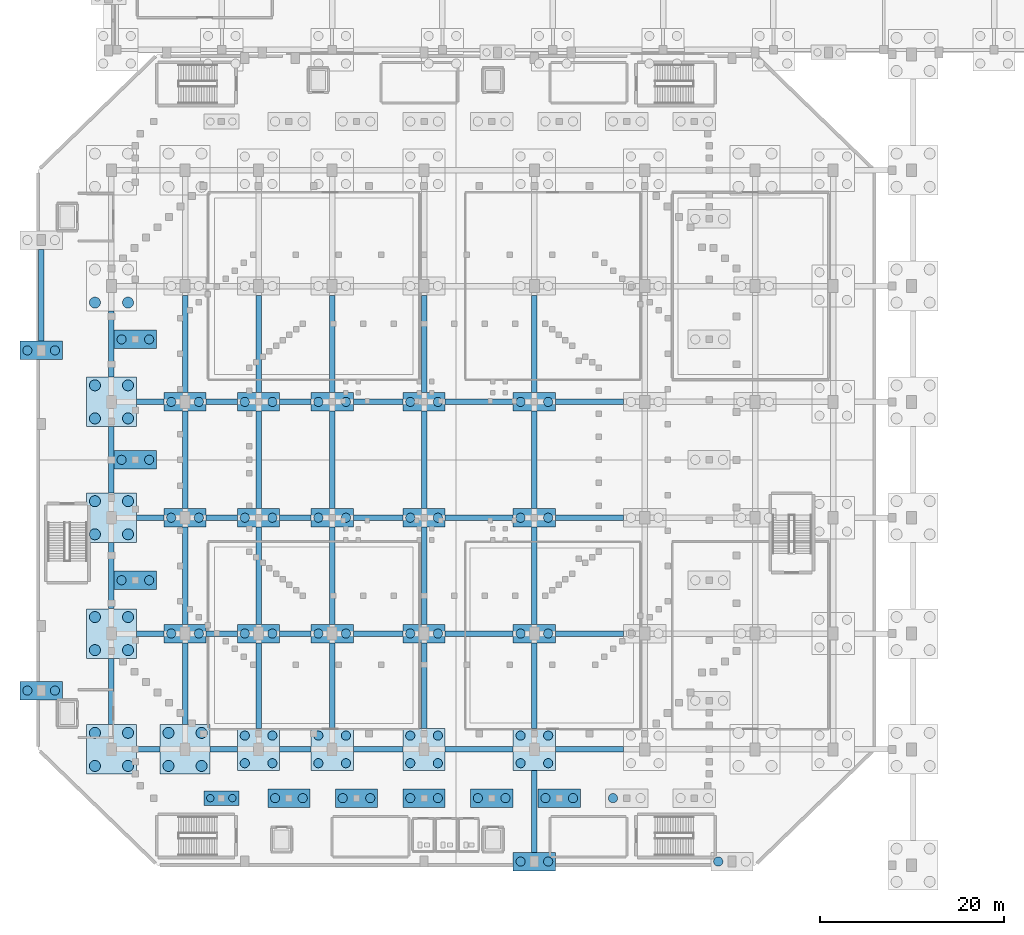
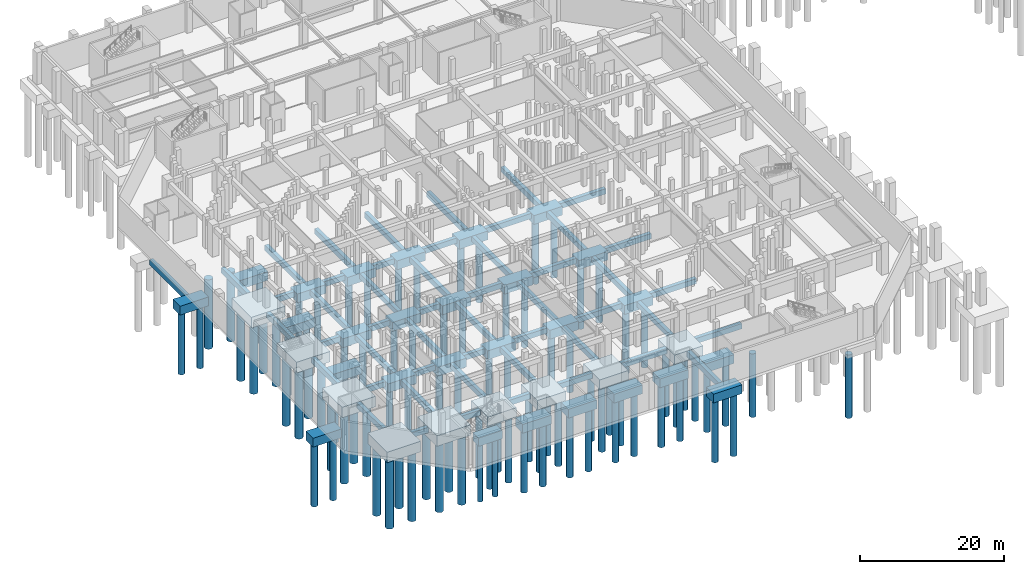
# One storey, part 1 of 27: 94 piles, 86 footings.
"""IFC4 building model written with IfcOpenShell, lengths in metres."""

import ifcopenshell
import ifcopenshell.guid

model = None  # the IFC model being written
_history = None  # IfcOwnerHistory: only IFC2X3 demands one
_inside = {}  # id of a spatial element -> (the spatial element, [elements in it])
_under = {}  # id of a project, library or spatial element -> (it, [spatial elements below it])
_declared = {}  # id of a project -> (the project, [libraries it declares])
_typed = {}  # id of a type object -> (the type object, [elements of that type])
_made_of = {}  # id of a material, layer set ... -> (it, [elements and type objects made of it])


def new_model(schema):
    """Start an empty IFC model of exactly this schema.

    Asked for "IFC4X3", IfcOpenShell would pick the latest addendum, in which some entities
    have other attributes; the version numbers below select the first issue.
    IFC2X3 requires an IfcOwnerHistory on every rooted entity: one is made here for all.
    """
    global model, _history
    if schema == "IFC4X3":
        model = ifcopenshell.file(schema_version=(4, 3, 0, 0))
    else:
        model = ifcopenshell.file(schema=schema)
    _inside.clear()
    _under.clear()
    _declared.clear()
    _typed.clear()
    _made_of.clear()
    _history = None
    if model.schema == "IFC2X3":
        org = make("IfcOrganization", Name="unknown")
        user = make(
            "IfcPersonAndOrganization",
            ThePerson=make("IfcPerson", FamilyName="unknown"),
            TheOrganization=org,
        )
        app = make(
            "IfcApplication",
            ApplicationDeveloper=org,
            Version="unknown",
            ApplicationFullName="unknown",
            ApplicationIdentifier="unknown",
        )
        _history = make(
            "IfcOwnerHistory",
            OwningUser=user,
            OwningApplication=app,
            ChangeAction="ADDED",
            CreationDate=0,
        )
    return model


def make(cls, **values):
    """One entity of the class cls with the attributes given. An attribute that is None is left unset."""
    return model.create_entity(
        cls, **{name: value for name, value in values.items() if value is not None}
    )


def rooted(cls, **values):
    """An entity with a GlobalId (a new one), such as an element, a storey or a relation."""
    return make(cls, GlobalId=ifcopenshell.guid.new(), OwnerHistory=_history, **values)


def si_unit(unit_type, name, prefix=None):
    """IfcSIUnit, for example si_unit("LENGTHUNIT", "METRE", prefix="MILLI")."""
    return make("IfcSIUnit", UnitType=unit_type, Prefix=prefix, Name=name)


def derived_unit(unit_type, elements):
    """IfcDerivedUnit: a product of units, each with its exponent."""
    return make(
        "IfcDerivedUnit",
        Elements=[
            make("IfcDerivedUnitElement", Unit=unit, Exponent=power)
            for unit, power in elements
        ],
        UnitType=unit_type,
    )


def assignment(units):
    """IfcUnitAssignment: the units of a project."""
    return None if units is None else make("IfcUnitAssignment", Units=units)


def point(xyz):
    """IfcCartesianPoint."""
    return None if xyz is None else make("IfcCartesianPoint", Coordinates=xyz)


def direction(xyz):
    """IfcDirection."""
    return None if xyz is None else make("IfcDirection", DirectionRatios=xyz)


def frame(location, z_axis=None, x_axis=None):
    """IfcAxis2Placement3D, a coordinate frame: its origin and axes. An axis left out is left unset."""
    return make(
        "IfcAxis2Placement3D",
        Location=point(location),
        Axis=direction(z_axis),
        RefDirection=direction(x_axis),
    )


def frame_2d(location, x_axis=None):
    """IfcAxis2Placement2D, a coordinate frame in the plane: its origin and x axis."""
    return make(
        "IfcAxis2Placement2D", Location=point(location), RefDirection=direction(x_axis)
    )


def origin():
    """The frame at (0, 0, 0) with its axes left unset."""
    return frame((0.0, 0.0, 0.0))


def origin_2d():
    """The frame at (0, 0) in the plane with its x axis left unset."""
    return frame_2d((0.0, 0.0))


def place(relative_to, where):
    """IfcLocalPlacement: puts the frame where relative to a parent placement (None: the world)."""
    return make(
        "IfcLocalPlacement", PlacementRelTo=relative_to, RelativePlacement=where
    )


def context(
    kind, dimensions, precision=None, world=None, true_north=None, identifier=None
):
    """IfcGeometricRepresentationContext, for example the 3D "Model" context."""
    return make(
        "IfcGeometricRepresentationContext",
        ContextIdentifier=identifier,
        ContextType=kind,
        CoordinateSpaceDimension=dimensions,
        Precision=precision,
        WorldCoordinateSystem=world,
        TrueNorth=true_north,
    )


def subcontext(parent, identifier, kind, view, scale=None):
    """IfcGeometricRepresentationSubContext, for example "Body" below "Model"."""
    return make(
        "IfcGeometricRepresentationSubContext",
        ContextIdentifier=identifier,
        ContextType=kind,
        ParentContext=parent,
        TargetScale=scale,
        TargetView=view,
    )


def project(units=None, contexts=None):
    """IfcProject with its units and contexts."""
    return rooted(
        "IfcProject",
        Name="project",
        RepresentationContexts=contexts,
        UnitsInContext=assignment(units),
    )


def spatial(cls, under=None, at=None, **own):
    """A site, building, storey or space (cls), placed at a placement, below another one or the project."""
    s = rooted(cls, ObjectPlacement=at, **own)
    if under is not None:
        _under.setdefault(under.id(), (under, []))[1].append(s)
    return s


def profile(cls, at=None, kind="AREA", **sizes):
    """A parametric profile (cls). Its sizes go by their IFC names, for example OverallWidth=200.0."""
    return make(cls, ProfileType=kind, Position=at, **sizes)


def rectangle(**sizes):
    """IfcRectangleProfileDef."""
    return profile("IfcRectangleProfileDef", **sizes)


def circle(**sizes):
    """IfcCircleProfileDef."""
    return profile("IfcCircleProfileDef", **sizes)


def extrude(swept, where, along, depth):
    """IfcExtrudedAreaSolid: the profile swept, set in the frame where, extruded along a direction by depth."""
    return make(
        "IfcExtrudedAreaSolid",
        SweptArea=swept,
        Position=where,
        ExtrudedDirection=direction(along),
        Depth=depth,
    )


def shape(context_of_items, identifier, shape_type, items):
    """IfcShapeRepresentation: the items that make up one representation, for example the "Body"."""
    return make(
        "IfcShapeRepresentation",
        ContextOfItems=context_of_items,
        RepresentationIdentifier=identifier,
        RepresentationType=shape_type,
        Items=items,
    )


def material(Name=None, Category=None):
    """IfcMaterial."""
    return make("IfcMaterial", Name=Name, Category=Category)


def layer(
    of_material, thickness, ventilated=None, Name=None, Category=None, Priority=None
):
    """IfcMaterialLayer: one layer of a wall or slab, of a material (None: an air gap)."""
    return make(
        "IfcMaterialLayer",
        Material=of_material,
        LayerThickness=thickness,
        IsVentilated=ventilated,
        Name=Name,
        Category=Category,
        Priority=Priority,
    )


def layer_set(layers, Name=None):
    """IfcMaterialLayerSet."""
    return make("IfcMaterialLayerSet", MaterialLayers=layers, LayerSetName=Name)


def material_profile(
    of_material, cross_section, Name=None, Category=None, Priority=None
):
    """IfcMaterialProfile: a cross section and its material."""
    return make(
        "IfcMaterialProfile",
        Name=Name,
        Material=of_material,
        Profile=cross_section,
        Priority=Priority,
        Category=Category,
    )


def profile_set(profiles, Name=None, composite=None):
    """IfcMaterialProfileSet."""
    return make(
        "IfcMaterialProfileSet",
        Name=Name,
        MaterialProfiles=profiles,
        CompositeProfile=composite,
    )


def made_of(thing, what):
    """Note that an element or type object is made of a material, layer set ...; save() writes the relation."""
    if what is not None:
        _made_of.setdefault(what.id(), (what, []))[1].append(thing)
    return thing


def type_object(cls, material=None, **own):
    """A type object (cls), such as IfcWallType, which elements share."""
    return made_of(rooted(cls, **own), material)


def element(
    cls,
    number,
    at=None,
    inside=None,
    cuts=None,
    type_object=None,
    material=None,
    context=None,
    identifier="Body",
    shape_type=None,
    held_by="IfcProductDefinitionShape",
    body=None,
    shapes=None,
    **own,
):
    """One element of the class cls, such as IfcWall. Its Tag is "e" and its number.

    at: its placement. inside: the storey or other place that contains it. cuts: it is an
    opening in that element (IfcRelVoidsElement). A single representation is given by context,
    identifier, shape_type and body (its items); several are given by shapes. held_by: the class
    of the entity that holds the representations. save() writes the other relations.
    """
    e = rooted(cls, Tag="e%d" % number, ObjectPlacement=at, **own)
    if body is not None:
        shapes = [shape(context, identifier, shape_type, body)]
    if shapes is not None:
        e.Representation = make(held_by, Representations=shapes)
    if inside is not None:
        _inside.setdefault(inside.id(), (inside, []))[1].append(e)
    if cuts is not None:
        rooted(
            "IfcRelVoidsElement", RelatingBuildingElement=cuts, RelatedOpeningElement=e
        )
    if type_object is not None:
        _typed.setdefault(type_object.id(), (type_object, []))[1].append(e)
    return made_of(e, material)


def aggregate(whole, parts):
    """IfcRelAggregates: a whole, such as a stair, and the parts it consists of."""
    return rooted("IfcRelAggregates", RelatingObject=whole, RelatedObjects=parts)


def save(model, path):
    """Write the relations noted so far, then the file.

    IfcRelAggregates (storeys below a building ...), IfcRelContainedInSpatialStructure (elements
    in a storey), IfcRelDefinesByType, IfcRelAssociatesMaterial and IfcRelDeclares: one each for
    every whole, place, type object, material and project.
    """
    for whole, parts in _under.values():
        aggregate(whole, parts)
    for where, things in _inside.values():
        rooted(
            "IfcRelContainedInSpatialStructure",
            RelatedElements=things,
            RelatingStructure=where,
        )
    for kind, things in _typed.values():
        rooted("IfcRelDefinesByType", RelatedObjects=things, RelatingType=kind)
    for what, things in _made_of.values():
        rooted("IfcRelAssociatesMaterial", RelatedObjects=things, RelatingMaterial=what)
    for by, libraries in _declared.values():
        rooted("IfcRelDeclares", RelatingContext=by, RelatedDefinitions=libraries)
    model.write(path)


model = new_model("IFC4")

# Units and contexts
model_context = context("Model", 3, precision=1e-05, world=origin(), true_north=direction((0.0, 1.0)))
body_context = subcontext(model_context, "Body", "Model", "MODEL_VIEW")
ifc_project = project(units=[si_unit("LENGTHUNIT", "METRE"), si_unit("AREAUNIT", "SQUARE_METRE"), si_unit("VOLUMEUNIT", "CUBIC_METRE"), si_unit("PLANEANGLEUNIT", "RADIAN"), si_unit("MASSUNIT", "GRAM", prefix="KILO"), derived_unit("THERMALTRANSMITTANCEUNIT", [(si_unit("MASSUNIT", "GRAM", prefix="KILO"), 1), (si_unit("TIMEUNIT", "SECOND"), -3), (si_unit("THERMODYNAMICTEMPERATUREUNIT", "KELVIN"), -1)])], contexts=[model_context])

# Site, building, storey
site_placement = place(None, origin())
site = spatial("IfcSite", under=ifc_project, at=site_placement, CompositionType="ELEMENT")
building_placement = place(site_placement, origin())
building = spatial("IfcBuilding", under=site, at=building_placement, Name="Valcora Ridge Arena", CompositionType="ELEMENT")
storey_placement = place(building_placement, frame((0.0, 0.0, -5.39990234375)))
storey = spatial("IfcBuildingStorey", under=building, at=storey_placement, Name="B1", CompositionType="ELEMENT", Elevation=-5.39990234375)

# Footings
ifc_material_1 = material(Name="Concrete C40/50", Category="concrete")
ifc_layer_1 = layer(ifc_material_1, 1.5, Name="Concrete C40/50")
ifc_layer_set_1 = layer_set([ifc_layer_1], Name="Concrete C40/50")
footing_type_1 = type_object("IfcFootingType", Name="TY-FOOTING-PC-2P1000", PredefinedType="PILE_CAP", material=ifc_layer_set_1)
for number, where, z_axis, x_axis, name in (
    (1, (32.0, 45.199951171875, -2.10009765625), (0.0, 0.0, 1.0), (1.0, 0.0, 0.0), "PC-2P1000 FND-PC-0016"),
    (2, (32.0, 57.800048828125, -2.10009765625), (0.0, 0.0, 1.0), (1.0, 0.0, 0.0), "PC-2P1000 FND-PC-0017"),
    (3, (32.0, 70.39990234375, -2.10009765625), (0.0, 0.0, 1.0), (1.0, 0.0, 0.0), "PC-2P1000 FND-PC-0018"),
    (4, (40.0, 45.199951171875, -2.10009765625), (0.0, 0.0, 1.0), (1.0, 0.0, 0.0), "PC-2P1000 FND-PC-0022"),
    (5, (40.0, 57.800048828125, -2.10009765625), (0.0, 0.0, 1.0), (1.0, 0.0, 0.0), "PC-2P1000 FND-PC-0023"),
    (6, (40.0, 70.39990234375, -2.10009765625), (0.0, 0.0, 1.0), (1.0, 0.0, 0.0), "PC-2P1000 FND-PC-0024"),
    (7, (48.0, 45.199951171875, -2.10009765625), (0.0, 0.0, 1.0), (1.0, 0.0, 0.0), "PC-2P1000 FND-PC-0028"),
    (8, (48.0, 57.800048828125, -2.10009765625), (0.0, 0.0, 1.0), (1.0, 0.0, 0.0), "PC-2P1000 FND-PC-0029"),
    (9, (48.0, 70.39990234375, -2.10009765625), (0.0, 0.0, 1.0), (1.0, 0.0, 0.0), "PC-2P1000 FND-PC-0030"),
    (10, (58.0, 45.199951171875, -2.10009765625), (0.0, 0.0, 1.0), (1.0, 0.0, 0.0), "PC-2P1000 FND-PC-0034"),
    (11, (58.0, 57.800048828125, -2.10009765625), (0.0, 0.0, 1.0), (1.0, 0.0, 0.0), "PC-2P1000 FND-PC-0035"),
    (12, (58.0, 70.39990234375, -2.10009765625), (0.0, 0.0, 1.0), (1.0, 0.0, 0.0), "PC-2P1000 FND-PC-0036"),
    (13, (70.0, 45.199951171875, -2.10009765625), (0.0, 0.0, 1.0), (1.0, 0.0, 0.0), "PC-2P1000 FND-PC-0040"),
    (14, (70.0, 57.800048828125, -2.10009765625), (0.0, 0.0, 1.0), (1.0, 0.0, 0.0), "PC-2P1000 FND-PC-0041"),
    (15, (70.0, 70.39990234375, -2.10009765625), (0.0, 0.0, 1.0), (1.0, 0.0, 0.0), "PC-2P1000 FND-PC-0042"),
    (16, (70.0, 20.39990234375, -2.10009765625), (0.0, 0.0, 1.0), (1.0, 0.0, 0.0), "PC-2P1000 FND-PC-0210"),
    (17, (16.35009765625, 39.0, -2.10009765625), (0.0, 0.0, 1.0), (1.0, 0.0, 0.0), "PC-2P1000 FND-PC-0212"),
    (18, (16.35009765625, 76.0, -2.10009765625), (0.0, 0.0, 1.0), (1.0, 0.0, 0.0), "PC-2P1000 FND-PC-0213"),
    (19, (43.300048828125, 27.300048828125, -2.10009765625), (0.0, 0.0, 1.0), (1.0, 0.0, 0.0), "PC-2P1000 FND-PC-0262"),
    (20, (50.64990234375, 27.300048828125, -2.10009765625), (0.0, 0.0, 1.0), (1.0, 0.0, 0.0), "PC-2P1000 FND-PC-0263"),
    (21, (58.0, 27.300048828125, -2.10009765625), (0.0, 0.0, 1.0), (1.0, 0.0, 0.0), "PC-2P1000 FND-PC-0264"),
    (22, (65.35009765625, 27.300048828125, -2.10009765625), (0.0, 0.0, 1.0), (1.0, 0.0, 0.0), "PC-2P1000 FND-PC-0265"),
    (23, (72.699951171875, 27.300048828125, -2.10009765625), (0.0, 0.0, 1.0), (1.0, 0.0, 0.0), "PC-2P1000 FND-PC-0266"),
    (24, (26.60009765625, 77.199951171875, -2.10009765625), (0.0, 0.0, 1.0), (1.0, 0.0, 0.0), "PC-2P1000 FND-PC-0282"),
    (25, (26.60009765625, 64.10009765625, -2.10009765625), (0.0, 0.0, 1.0), (1.0, 0.0, 0.0), "PC-2P1000 FND-PC-0283"),
    (26, (26.60009765625, 51.0, -2.10009765625), (0.0, 0.0, 1.0), (1.0, 0.0, 0.0), "PC-2P1000 FND-PC-0284"),
):
    element("IfcFooting", number, at=place(storey_placement, frame(where, z_axis=z_axis, x_axis=x_axis)), inside=storey, type_object=footing_type_1, Name=name, PredefinedType="PILE_CAP", context=body_context, shape_type="SweptSolid", body=[
        extrude(rectangle(XDim=4.60009765625, YDim=2.0, at=origin_2d()), origin(), (0.0, 0.0, 1.0), 1.5),
    ])
ifc_layer_2 = layer(ifc_material_1, 1.39990234375, Name="Concrete C40/50")
ifc_layer_set_2 = layer_set([ifc_layer_2], Name="Concrete C40/50")
footing_type_2 = type_object("IfcFootingType", Name="TY-FOOTING-PC-2P800", PredefinedType="PILE_CAP", material=ifc_layer_set_2)
footing_1_placement = place(storey_placement, frame((35.949951171875, 27.300048828125, -2.0), z_axis=(0.0, 0.0, 1.0), x_axis=(1.0, 0.0, 0.0)))
element("IfcFooting", 27, at=footing_1_placement, inside=storey, type_object=footing_type_2, Name="PC-2P800 FND-PC-0261", PredefinedType="PILE_CAP", context=body_context, shape_type="SweptSolid", body=[
    extrude(rectangle(XDim=3.800048828125, YDim=1.60009765625, at=origin_2d()), origin(), (0.0, 0.0, 1.0), 1.39990234375),
])
ifc_layer_3 = layer(ifc_material_1, 1.60009765625, Name="Concrete C40/50")
ifc_layer_set_3 = layer_set([ifc_layer_3], Name="Concrete C40/50")
footing_type_3 = type_object("IfcFootingType", Name="TY-FOOTING-PC-4P1000", PredefinedType="PILE_CAP", material=ifc_layer_set_3)
for number, where, z_axis, x_axis, name in (
    (28, (40.0, 32.60009765625, -2.2001953125), (0.0, 0.0, 1.0), (1.0, 0.0, 0.0), "PC-4P1000 FND-PC-0021"),
    (29, (48.0, 32.60009765625, -2.2001953125), (0.0, 0.0, 1.0), (1.0, 0.0, 0.0), "PC-4P1000 FND-PC-0027"),
    (30, (58.0, 32.60009765625, -2.2001953125), (0.0, 0.0, 1.0), (1.0, 0.0, 0.0), "PC-4P1000 FND-PC-0033"),
    (31, (70.0, 32.60009765625, -2.2001953125), (0.0, 0.0, 1.0), (1.0, 0.0, 0.0), "PC-4P1000 FND-PC-0039"),
):
    element("IfcFooting", number, at=place(storey_placement, frame(where, z_axis=z_axis, x_axis=x_axis)), inside=storey, type_object=footing_type_3, Name=name, PredefinedType="PILE_CAP", context=body_context, shape_type="SweptSolid", body=[
        extrude(rectangle(XDim=4.60009765625, YDim=4.60009765625, at=origin_2d()), origin(), (0.0, 0.0, 1.0), 1.60009765625),
    ])
ifc_layer_4 = layer(ifc_material_1, 1.800048828125, Name="Concrete C40/50")
ifc_layer_set_4 = layer_set([ifc_layer_4], Name="Concrete C40/50")
footing_type_4 = type_object("IfcFootingType", Name="TY-FOOTING-PC-4P1200", PredefinedType="PILE_CAP", material=ifc_layer_set_4)
for number, where, z_axis, x_axis, name in (
    (32, (24.0, 32.60009765625, -2.39990234375), (0.0, 0.0, 1.0), (1.0, 0.0, 0.0), "PC-4P1200 FND-PC-0009"),
    (33, (24.0, 45.199951171875, -2.39990234375), (0.0, 0.0, 1.0), (1.0, 0.0, 0.0), "PC-4P1200 FND-PC-0010"),
    (34, (24.0, 57.800048828125, -2.39990234375), (0.0, 0.0, 1.0), (1.0, 0.0, 0.0), "PC-4P1200 FND-PC-0011"),
    (35, (24.0, 70.39990234375, -2.39990234375), (0.0, 0.0, 1.0), (1.0, 0.0, 0.0), "PC-4P1200 FND-PC-0012"),
    (36, (32.0, 32.60009765625, -2.39990234375), (0.0, 0.0, 1.0), (1.0, 0.0, 0.0), "PC-4P1200 FND-PC-0015"),
):
    element("IfcFooting", number, at=place(storey_placement, frame(where, z_axis=z_axis, x_axis=x_axis)), inside=storey, type_object=footing_type_4, Name=name, PredefinedType="PILE_CAP", context=body_context, shape_type="SweptSolid", body=[
        extrude(rectangle(XDim=5.39990234375, YDim=5.39990234375, at=origin_2d()), origin(), (0.0, 0.0, 1.0), 1.800048828125),
    ])
ifc_layer_5 = layer(ifc_material_1, 0.89990234375, Name="Concrete C40/50")
ifc_layer_set_5 = layer_set([ifc_layer_5], Name="Concrete C40/50")
footing_type_5 = type_object("IfcFootingType", Name="TY-FOOTING-TBX-026", PredefinedType="FOOTING_BEAM", material=ifc_layer_set_5)
footing_2_placement = place(storey_placement, frame((28.0, 32.60009765625, -1.5), z_axis=(0.0, 0.0, 1.0), x_axis=(1.0, 0.0, 0.0)))
element("IfcFooting", 37, at=footing_2_placement, inside=storey, type_object=footing_type_5, Name="TBX-026 FND-TB-0001", PredefinedType="FOOTING_BEAM", context=body_context, shape_type="SweptSolid", body=[
    extrude(rectangle(XDim=2.597900390625, YDim=0.60009765625, at=origin_2d()), origin(), (0.0, 0.0, 1.0), 0.89990234375),
])
ifc_layer_6 = layer(ifc_material_1, 0.89990234375, Name="Concrete C40/50")
ifc_layer_set_6 = layer_set([ifc_layer_6], Name="Concrete C40/50")
footing_type_6 = type_object("IfcFootingType", Name="TY-FOOTING-TBX-030", PredefinedType="FOOTING_BEAM", material=ifc_layer_set_6)
for number, where, z_axis, x_axis, name in (
    (38, (36.199951171875, 32.60009765625, -1.5), (0.0, 0.0, 1.0), (1.0, 0.0, 0.0), "TBX-030 FND-TB-0002"),
    (39, (28.199951171875, 45.199951171875, -1.5), (0.0, 0.0, 1.0), (1.0, 0.0, 0.0), "TBX-030 FND-TB-0010"),
    (40, (28.199951171875, 57.800048828125, -1.5), (0.0, 0.0, 1.0), (1.0, 0.0, 0.0), "TBX-030 FND-TB-0019"),
    (41, (28.199951171875, 70.39990234375, -1.5), (0.0, 0.0, 1.0), (1.0, 0.0, 0.0), "TBX-030 FND-TB-0028"),
):
    element("IfcFooting", number, at=place(storey_placement, frame(where, z_axis=z_axis, x_axis=x_axis)), inside=storey, type_object=footing_type_6, Name=name, PredefinedType="FOOTING_BEAM", context=body_context, shape_type="SweptSolid", body=[
        extrude(rectangle(XDim=2.998046875, YDim=0.60009765625, at=origin_2d()), origin(), (0.0, 0.0, 1.0), 0.89990234375),
    ])
ifc_layer_7 = layer(ifc_material_1, 0.89990234375, Name="Concrete C40/50")
ifc_layer_set_7 = layer_set([ifc_layer_7], Name="Concrete C40/50")
footing_type_7 = type_object("IfcFootingType", Name="TY-FOOTING-TBX-034", PredefinedType="FOOTING_BEAM", material=ifc_layer_set_7)
for number, where, z_axis, x_axis, name in (
    (42, (44.0, 32.60009765625, -1.5), (0.0, 0.0, 1.0), (1.0, 0.0, 0.0), "TBX-034 FND-TB-0003"),
    (43, (36.0, 45.199951171875, -1.5), (0.0, 0.0, 1.0), (1.0, 0.0, 0.0), "TBX-034 FND-TB-0011"),
    (44, (44.0, 45.199951171875, -1.5), (0.0, 0.0, 1.0), (1.0, 0.0, 0.0), "TBX-034 FND-TB-0012"),
    (45, (36.0, 57.800048828125, -1.5), (0.0, 0.0, 1.0), (1.0, 0.0, 0.0), "TBX-034 FND-TB-0020"),
    (46, (44.0, 57.800048828125, -1.5), (0.0, 0.0, 1.0), (1.0, 0.0, 0.0), "TBX-034 FND-TB-0021"),
    (47, (36.0, 70.39990234375, -1.5), (0.0, 0.0, 1.0), (1.0, 0.0, 0.0), "TBX-034 FND-TB-0029"),
    (48, (44.0, 70.39990234375, -1.5), (0.0, 0.0, 1.0), (1.0, 0.0, 0.0), "TBX-034 FND-TB-0030"),
):
    element("IfcFooting", number, at=place(storey_placement, frame(where, z_axis=z_axis, x_axis=x_axis)), inside=storey, type_object=footing_type_7, Name=name, PredefinedType="FOOTING_BEAM", context=body_context, shape_type="SweptSolid", body=[
        extrude(rectangle(XDim=3.39794921875, YDim=0.60009765625, at=origin_2d()), origin(), (0.0, 0.0, 1.0), 0.89990234375),
    ])
ifc_layer_8 = layer(ifc_material_1, 0.89990234375, Name="Concrete C40/50")
ifc_layer_set_8 = layer_set([ifc_layer_8], Name="Concrete C40/50")
footing_type_8 = type_object("IfcFootingType", Name="TY-FOOTING-TBX-054", PredefinedType="FOOTING_BEAM", material=ifc_layer_set_8)
for number, where, z_axis, x_axis, name in (
    (49, (53.0, 32.60009765625, -1.5), (0.0, 0.0, 1.0), (1.0, 0.0, 0.0), "TBX-054 FND-TB-0004"),
    (50, (53.0, 45.199951171875, -1.5), (0.0, 0.0, 1.0), (1.0, 0.0, 0.0), "TBX-054 FND-TB-0013"),
    (51, (53.0, 57.800048828125, -1.5), (0.0, 0.0, 1.0), (1.0, 0.0, 0.0), "TBX-054 FND-TB-0022"),
    (52, (53.0, 70.39990234375, -1.5), (0.0, 0.0, 1.0), (1.0, 0.0, 0.0), "TBX-054 FND-TB-0031"),
):
    element("IfcFooting", number, at=place(storey_placement, frame(where, z_axis=z_axis, x_axis=x_axis)), inside=storey, type_object=footing_type_8, Name=name, PredefinedType="FOOTING_BEAM", context=body_context, shape_type="SweptSolid", body=[
        extrude(rectangle(XDim=5.39794921875, YDim=0.60009765625, at=origin_2d()), origin(), (0.0, 0.0, 1.0), 0.89990234375),
    ])
ifc_layer_9 = layer(ifc_material_1, 0.89990234375, Name="Concrete C40/50")
ifc_layer_set_9 = layer_set([ifc_layer_9], Name="Concrete C40/50")
footing_type_9 = type_object("IfcFootingType", Name="TY-FOOTING-TBX-074", PredefinedType="FOOTING_BEAM", material=ifc_layer_set_9)
for number, where, z_axis, x_axis, name in (
    (53, (64.0, 32.60009765625, -1.5), (0.0, 0.0, 1.0), (1.0, 0.0, 0.0), "TBX-074 FND-TB-0005"),
    (54, (76.0, 32.60009765625, -1.5), (0.0, 0.0, 1.0), (1.0, 0.0, 0.0), "TBX-074 FND-TB-0006"),
    (55, (64.0, 45.199951171875, -1.5), (0.0, 0.0, 1.0), (1.0, 0.0, 0.0), "TBX-074 FND-TB-0014"),
    (56, (76.0, 45.199951171875, -1.5), (0.0, 0.0, 1.0), (1.0, 0.0, 0.0), "TBX-074 FND-TB-0015"),
    (57, (64.0, 57.800048828125, -1.5), (0.0, 0.0, 1.0), (1.0, 0.0, 0.0), "TBX-074 FND-TB-0023"),
    (58, (76.0, 57.800048828125, -1.5), (0.0, 0.0, 1.0), (1.0, 0.0, 0.0), "TBX-074 FND-TB-0024"),
    (59, (64.0, 70.39990234375, -1.5), (0.0, 0.0, 1.0), (1.0, 0.0, 0.0), "TBX-074 FND-TB-0032"),
    (60, (76.0, 70.39990234375, -1.5), (0.0, 0.0, 1.0), (1.0, 0.0, 0.0), "TBX-074 FND-TB-0033"),
):
    element("IfcFooting", number, at=place(storey_placement, frame(where, z_axis=z_axis, x_axis=x_axis)), inside=storey, type_object=footing_type_9, Name=name, PredefinedType="FOOTING_BEAM", context=body_context, shape_type="SweptSolid", body=[
        extrude(rectangle(XDim=7.39794921875, YDim=0.60009765625, at=origin_2d()), origin(), (0.0, 0.0, 1.0), 0.89990234375),
    ])
ifc_layer_10 = layer(ifc_material_1, 0.89990234375, Name="Concrete C40/50")
ifc_layer_set_10 = layer_set([ifc_layer_10], Name="Concrete C40/50")
footing_type_10 = type_object("IfcFootingType", Name="TY-FOOTING-TBY-072", PredefinedType="FOOTING_BEAM", material=ifc_layer_set_10)
for number, where, z_axis, x_axis, name in (
    (61, (24.0, 38.89990234375, -1.5), (0.0, 0.0, 1.0), (1.0, 0.0, 0.0), "TBY-072 FND-TB-0092"),
    (62, (24.0, 51.5, -1.5), (0.0, 0.0, 1.0), (1.0, 0.0, 0.0), "TBY-072 FND-TB-0093"),
    (63, (24.0, 64.10009765625, -1.5), (0.0, 0.0, 1.0), (1.0, 0.0, 0.0), "TBY-072 FND-TB-0094"),
    (64, (24.0, 76.699951171875, -1.5), (0.0, 0.0, 1.0), (1.0, 0.0, 0.0), "TBY-072 FND-TB-0095"),
):
    element("IfcFooting", number, at=place(storey_placement, frame(where, z_axis=z_axis, x_axis=x_axis)), inside=storey, type_object=footing_type_10, Name=name, PredefinedType="FOOTING_BEAM", context=body_context, shape_type="SweptSolid", body=[
        extrude(rectangle(XDim=0.60009765625, YDim=7.197998046875, at=origin_2d()), origin(), (0.0, 0.0, 1.0), 0.89990234375),
    ])
ifc_layer_11 = layer(ifc_material_1, 0.89990234375, Name="Concrete C40/50")
ifc_layer_set_11 = layer_set([ifc_layer_11], Name="Concrete C40/50")
footing_type_11 = type_object("IfcFootingType", Name="TY-FOOTING-TBY-089", PredefinedType="FOOTING_BEAM", material=ifc_layer_set_11)
for number, where, z_axis, x_axis, name in (
    (65, (32.0, 39.75, -1.5), (0.0, 0.0, 1.0), (1.0, 0.0, 0.0), "TBY-089 FND-TB-0097"),
    (66, (70.0, 25.85009765625, -1.5), (0.0, 0.0, 1.0), (1.0, 0.0, 0.0), "TBY-089 FND-TB-0119"),
):
    element("IfcFooting", number, at=place(storey_placement, frame(where, z_axis=z_axis, x_axis=x_axis)), inside=storey, type_object=footing_type_11, Name=name, PredefinedType="FOOTING_BEAM", context=body_context, shape_type="SweptSolid", body=[
        extrude(rectangle(XDim=0.60009765625, YDim=8.89794921875, at=origin_2d()), origin(), (0.0, 0.0, 1.0), 0.89990234375),
    ])
ifc_layer_12 = layer(ifc_material_1, 0.89990234375, Name="Concrete C40/50")
ifc_layer_set_12 = layer_set([ifc_layer_12], Name="Concrete C40/50")
footing_type_12 = type_object("IfcFootingType", Name="TY-FOOTING-TBY-093", PredefinedType="FOOTING_BEAM", material=ifc_layer_set_12)
for number, where, z_axis, x_axis, name in (
    (67, (40.0, 39.550048828125, -1.5), (0.0, 0.0, 1.0), (1.0, 0.0, 0.0), "TBY-093 FND-TB-0102"),
    (68, (48.0, 39.550048828125, -1.5), (0.0, 0.0, 1.0), (1.0, 0.0, 0.0), "TBY-093 FND-TB-0107"),
    (69, (58.0, 39.550048828125, -1.5), (0.0, 0.0, 1.0), (1.0, 0.0, 0.0), "TBY-093 FND-TB-0114"),
    (70, (70.0, 39.550048828125, -1.5), (0.0, 0.0, 1.0), (1.0, 0.0, 0.0), "TBY-093 FND-TB-0120"),
):
    element("IfcFooting", number, at=place(storey_placement, frame(where, z_axis=z_axis, x_axis=x_axis)), inside=storey, type_object=footing_type_12, Name=name, PredefinedType="FOOTING_BEAM", context=body_context, shape_type="SweptSolid", body=[
        extrude(rectangle(XDim=0.60009765625, YDim=9.298095703125, at=origin_2d()), origin(), (0.0, 0.0, 1.0), 0.89990234375),
    ])
ifc_layer_13 = layer(ifc_material_1, 0.89990234375, Name="Concrete C40/50")
ifc_layer_set_13 = layer_set([ifc_layer_13], Name="Concrete C40/50")
footing_type_13 = type_object("IfcFootingType", Name="TY-FOOTING-TBY-100", PredefinedType="FOOTING_BEAM", material=ifc_layer_set_13)
footing_3_placement = place(storey_placement, frame((16.35009765625, 82.0, -1.5), z_axis=(0.0, 0.0, 1.0), x_axis=(1.0, 0.0, 0.0)))
element("IfcFooting", 71, at=footing_3_placement, inside=storey, type_object=footing_type_13, Name="TBY-100 FND-TB-0167", PredefinedType="FOOTING_BEAM", context=body_context, shape_type="SweptSolid", body=[
    extrude(rectangle(XDim=0.60009765625, YDim=9.998046875, at=origin_2d()), origin(), (0.0, 0.0, 1.0), 0.89990234375),
])
ifc_layer_14 = layer(ifc_material_1, 0.89990234375, Name="Concrete C40/50")
ifc_layer_set_14 = layer_set([ifc_layer_14], Name="Concrete C40/50")
footing_type_14 = type_object("IfcFootingType", Name="TY-FOOTING-TBY-106", PredefinedType="FOOTING_BEAM", material=ifc_layer_set_14)
for number, where, z_axis, x_axis, name in (
    (72, (32.0, 51.5, -1.5), (0.0, 0.0, 1.0), (1.0, 0.0, 0.0), "TBY-106 FND-TB-0098"),
    (73, (32.0, 64.10009765625, -1.5), (0.0, 0.0, 1.0), (1.0, 0.0, 0.0), "TBY-106 FND-TB-0099"),
    (74, (32.0, 76.699951171875, -1.5), (0.0, 0.0, 1.0), (1.0, 0.0, 0.0), "TBY-106 FND-TB-0100"),
    (75, (40.0, 51.5, -1.5), (0.0, 0.0, 1.0), (1.0, 0.0, 0.0), "TBY-106 FND-TB-0103"),
    (76, (40.0, 64.10009765625, -1.5), (0.0, 0.0, 1.0), (1.0, 0.0, 0.0), "TBY-106 FND-TB-0104"),
    (77, (40.0, 76.699951171875, -1.5), (0.0, 0.0, 1.0), (1.0, 0.0, 0.0), "TBY-106 FND-TB-0105"),
    (78, (48.0, 51.5, -1.5), (0.0, 0.0, 1.0), (1.0, 0.0, 0.0), "TBY-106 FND-TB-0108"),
    (79, (48.0, 64.10009765625, -1.5), (0.0, 0.0, 1.0), (1.0, 0.0, 0.0), "TBY-106 FND-TB-0109"),
    (80, (48.0, 76.699951171875, -1.5), (0.0, 0.0, 1.0), (1.0, 0.0, 0.0), "TBY-106 FND-TB-0110"),
    (81, (58.0, 51.5, -1.5), (0.0, 0.0, 1.0), (1.0, 0.0, 0.0), "TBY-106 FND-TB-0115"),
    (82, (58.0, 64.10009765625, -1.5), (0.0, 0.0, 1.0), (1.0, 0.0, 0.0), "TBY-106 FND-TB-0116"),
    (83, (58.0, 76.699951171875, -1.5), (0.0, 0.0, 1.0), (1.0, 0.0, 0.0), "TBY-106 FND-TB-0117"),
    (84, (70.0, 51.5, -1.5), (0.0, 0.0, 1.0), (1.0, 0.0, 0.0), "TBY-106 FND-TB-0121"),
    (85, (70.0, 64.10009765625, -1.5), (0.0, 0.0, 1.0), (1.0, 0.0, 0.0), "TBY-106 FND-TB-0122"),
    (86, (70.0, 76.699951171875, -1.5), (0.0, 0.0, 1.0), (1.0, 0.0, 0.0), "TBY-106 FND-TB-0123"),
):
    element("IfcFooting", number, at=place(storey_placement, frame(where, z_axis=z_axis, x_axis=x_axis)), inside=storey, type_object=footing_type_14, Name=name, PredefinedType="FOOTING_BEAM", context=body_context, shape_type="SweptSolid", body=[
        extrude(rectangle(XDim=0.60009765625, YDim=10.597900390625, at=origin_2d()), origin(), (0.0, 0.0, 1.0), 0.89990234375),
    ])

# Piles
ifc_material_2 = material(Name="Concrete C35/45", Category="concrete")
ifc_material_profile_1 = material_profile(ifc_material_2, circle(Radius=0.5, at=origin_2d()), Name="BORED PILE D1000")
ifc_profile_set_1 = profile_set([ifc_material_profile_1], Name="Concrete C35/45")
pile_type_1 = type_object("IfcPileType", Name="TY-PILE-P-1000A", PredefinedType="BORED", material=ifc_profile_set_1)
for number, where, z_axis, x_axis, name in (
    (87, (38.5, 31.10009765625, -2.10009765625), (0.0, 0.0, -1.0), (1.0, 0.0, 0.0), "P-1000A FND-PL-P-1000A-0001"),
    (88, (41.5, 31.10009765625, -2.10009765625), (0.0, 0.0, -1.0), (1.0, 0.0, 0.0), "P-1000A FND-PL-P-1000A-0002"),
    (89, (38.5, 34.10009765625, -2.10009765625), (0.0, 0.0, -1.0), (1.0, 0.0, 0.0), "P-1000A FND-PL-P-1000A-0003"),
    (90, (41.5, 34.10009765625, -2.10009765625), (0.0, 0.0, -1.0), (1.0, 0.0, 0.0), "P-1000A FND-PL-P-1000A-0004"),
    (91, (46.5, 31.10009765625, -2.10009765625), (0.0, 0.0, -1.0), (1.0, 0.0, 0.0), "P-1000A FND-PL-P-1000A-0009"),
    (92, (49.5, 31.10009765625, -2.10009765625), (0.0, 0.0, -1.0), (1.0, 0.0, 0.0), "P-1000A FND-PL-P-1000A-0010"),
    (93, (46.5, 34.10009765625, -2.10009765625), (0.0, 0.0, -1.0), (1.0, 0.0, 0.0), "P-1000A FND-PL-P-1000A-0011"),
    (94, (49.5, 34.10009765625, -2.10009765625), (0.0, 0.0, -1.0), (1.0, 0.0, 0.0), "P-1000A FND-PL-P-1000A-0012"),
    (95, (56.5, 31.10009765625, -2.10009765625), (0.0, 0.0, -1.0), (1.0, 0.0, 0.0), "P-1000A FND-PL-P-1000A-0017"),
    (96, (59.5, 31.10009765625, -2.10009765625), (0.0, 0.0, -1.0), (1.0, 0.0, 0.0), "P-1000A FND-PL-P-1000A-0018"),
    (97, (56.5, 34.10009765625, -2.10009765625), (0.0, 0.0, -1.0), (1.0, 0.0, 0.0), "P-1000A FND-PL-P-1000A-0019"),
    (98, (59.5, 34.10009765625, -2.10009765625), (0.0, 0.0, -1.0), (1.0, 0.0, 0.0), "P-1000A FND-PL-P-1000A-0020"),
    (99, (68.5, 31.10009765625, -2.10009765625), (0.0, 0.0, -1.0), (1.0, 0.0, 0.0), "P-1000A FND-PL-P-1000A-0025"),
    (100, (71.5, 31.10009765625, -2.10009765625), (0.0, 0.0, -1.0), (1.0, 0.0, 0.0), "P-1000A FND-PL-P-1000A-0026"),
    (101, (68.5, 34.10009765625, -2.10009765625), (0.0, 0.0, -1.0), (1.0, 0.0, 0.0), "P-1000A FND-PL-P-1000A-0027"),
    (102, (71.5, 34.10009765625, -2.10009765625), (0.0, 0.0, -1.0), (1.0, 0.0, 0.0), "P-1000A FND-PL-P-1000A-0028"),
):
    element("IfcPile", number, at=place(storey_placement, frame(where, z_axis=z_axis, x_axis=x_axis)), inside=storey, type_object=pile_type_1, Name=name, PredefinedType="BORED", context=body_context, shape_type="SweptSolid", body=[
        extrude(circle(Radius=0.5, at=origin_2d()), origin(), (0.0, 0.0, 1.0), 11.199951171875),
    ])
ifc_material_profile_2 = material_profile(ifc_material_2, circle(Radius=0.5, at=origin_2d()), Name="BORED PILE D1000")
ifc_profile_set_2 = profile_set([ifc_material_profile_2], Name="Concrete C35/45")
pile_type_2 = type_object("IfcPileType", Name="TY-PILE-P-1000B", PredefinedType="BORED", material=ifc_profile_set_2)
for number, where, z_axis, x_axis, name in (
    (103, (30.5, 45.199951171875, -2.0), (0.0, 0.0, -1.0), (1.0, 0.0, 0.0), "P-1000B FND-PL-P-1000B-0001"),
    (104, (33.5, 45.199951171875, -2.0), (0.0, 0.0, -1.0), (1.0, 0.0, 0.0), "P-1000B FND-PL-P-1000B-0002"),
    (105, (30.5, 57.800048828125, -2.0), (0.0, 0.0, -1.0), (1.0, 0.0, 0.0), "P-1000B FND-PL-P-1000B-0003"),
    (106, (33.5, 57.800048828125, -2.0), (0.0, 0.0, -1.0), (1.0, 0.0, 0.0), "P-1000B FND-PL-P-1000B-0004"),
    (107, (30.5, 70.39990234375, -2.0), (0.0, 0.0, -1.0), (1.0, 0.0, 0.0), "P-1000B FND-PL-P-1000B-0005"),
    (108, (33.5, 70.39990234375, -2.0), (0.0, 0.0, -1.0), (1.0, 0.0, 0.0), "P-1000B FND-PL-P-1000B-0006"),
    (109, (38.5, 45.199951171875, -2.0), (0.0, 0.0, -1.0), (1.0, 0.0, 0.0), "P-1000B FND-PL-P-1000B-0009"),
    (110, (41.5, 45.199951171875, -2.0), (0.0, 0.0, -1.0), (1.0, 0.0, 0.0), "P-1000B FND-PL-P-1000B-0010"),
    (111, (38.5, 57.800048828125, -2.0), (0.0, 0.0, -1.0), (1.0, 0.0, 0.0), "P-1000B FND-PL-P-1000B-0011"),
    (112, (41.5, 57.800048828125, -2.0), (0.0, 0.0, -1.0), (1.0, 0.0, 0.0), "P-1000B FND-PL-P-1000B-0012"),
    (113, (38.5, 70.39990234375, -2.0), (0.0, 0.0, -1.0), (1.0, 0.0, 0.0), "P-1000B FND-PL-P-1000B-0013"),
    (114, (41.5, 70.39990234375, -2.0), (0.0, 0.0, -1.0), (1.0, 0.0, 0.0), "P-1000B FND-PL-P-1000B-0014"),
    (115, (46.5, 45.199951171875, -2.0), (0.0, 0.0, -1.0), (1.0, 0.0, 0.0), "P-1000B FND-PL-P-1000B-0017"),
    (116, (49.5, 45.199951171875, -2.0), (0.0, 0.0, -1.0), (1.0, 0.0, 0.0), "P-1000B FND-PL-P-1000B-0018"),
    (117, (46.5, 57.800048828125, -2.0), (0.0, 0.0, -1.0), (1.0, 0.0, 0.0), "P-1000B FND-PL-P-1000B-0019"),
    (118, (49.5, 57.800048828125, -2.0), (0.0, 0.0, -1.0), (1.0, 0.0, 0.0), "P-1000B FND-PL-P-1000B-0020"),
    (119, (46.5, 70.39990234375, -2.0), (0.0, 0.0, -1.0), (1.0, 0.0, 0.0), "P-1000B FND-PL-P-1000B-0021"),
    (120, (49.5, 70.39990234375, -2.0), (0.0, 0.0, -1.0), (1.0, 0.0, 0.0), "P-1000B FND-PL-P-1000B-0022"),
    (121, (56.5, 45.199951171875, -2.0), (0.0, 0.0, -1.0), (1.0, 0.0, 0.0), "P-1000B FND-PL-P-1000B-0025"),
    (122, (59.5, 45.199951171875, -2.0), (0.0, 0.0, -1.0), (1.0, 0.0, 0.0), "P-1000B FND-PL-P-1000B-0026"),
    (123, (56.5, 57.800048828125, -2.0), (0.0, 0.0, -1.0), (1.0, 0.0, 0.0), "P-1000B FND-PL-P-1000B-0027"),
    (124, (59.5, 57.800048828125, -2.0), (0.0, 0.0, -1.0), (1.0, 0.0, 0.0), "P-1000B FND-PL-P-1000B-0028"),
    (125, (56.5, 70.39990234375, -2.0), (0.0, 0.0, -1.0), (1.0, 0.0, 0.0), "P-1000B FND-PL-P-1000B-0029"),
    (126, (59.5, 70.39990234375, -2.0), (0.0, 0.0, -1.0), (1.0, 0.0, 0.0), "P-1000B FND-PL-P-1000B-0030"),
    (127, (68.5, 45.199951171875, -2.0), (0.0, 0.0, -1.0), (1.0, 0.0, 0.0), "P-1000B FND-PL-P-1000B-0033"),
    (128, (71.5, 45.199951171875, -2.0), (0.0, 0.0, -1.0), (1.0, 0.0, 0.0), "P-1000B FND-PL-P-1000B-0034"),
    (129, (68.5, 57.800048828125, -2.0), (0.0, 0.0, -1.0), (1.0, 0.0, 0.0), "P-1000B FND-PL-P-1000B-0035"),
    (130, (71.5, 57.800048828125, -2.0), (0.0, 0.0, -1.0), (1.0, 0.0, 0.0), "P-1000B FND-PL-P-1000B-0036"),
    (131, (68.5, 70.39990234375, -2.0), (0.0, 0.0, -1.0), (1.0, 0.0, 0.0), "P-1000B FND-PL-P-1000B-0037"),
    (132, (71.5, 70.39990234375, -2.0), (0.0, 0.0, -1.0), (1.0, 0.0, 0.0), "P-1000B FND-PL-P-1000B-0038"),
    (133, (68.5, 20.39990234375, -2.0), (0.0, 0.0, -1.0), (1.0, 0.0, 0.0), "P-1000B FND-PL-P-1000B-0057"),
    (134, (71.5, 20.39990234375, -2.0), (0.0, 0.0, -1.0), (1.0, 0.0, 0.0), "P-1000B FND-PL-P-1000B-0058"),
    (135, (90.0, 20.39990234375, -2.0), (0.0, 0.0, -1.0), (1.0, 0.0, 0.0), "P-1000B FND-PL-P-1000B-0059"),
    (136, (14.85009765625, 39.0, -2.0), (0.0, 0.0, -1.0), (1.0, 0.0, 0.0), "P-1000B FND-PL-P-1000B-0061"),
    (137, (17.85009765625, 39.0, -2.0), (0.0, 0.0, -1.0), (1.0, 0.0, 0.0), "P-1000B FND-PL-P-1000B-0062"),
    (138, (14.85009765625, 76.0, -2.0), (0.0, 0.0, -1.0), (1.0, 0.0, 0.0), "P-1000B FND-PL-P-1000B-0063"),
    (139, (17.85009765625, 76.0, -2.0), (0.0, 0.0, -1.0), (1.0, 0.0, 0.0), "P-1000B FND-PL-P-1000B-0064"),
    (140, (41.800048828125, 27.300048828125, -2.0), (0.0, 0.0, -1.0), (1.0, 0.0, 0.0), "P-1000B FND-PL-P-1000B-0067"),
    (141, (44.800048828125, 27.300048828125, -2.0), (0.0, 0.0, -1.0), (1.0, 0.0, 0.0), "P-1000B FND-PL-P-1000B-0068"),
    (142, (49.14990234375, 27.300048828125, -2.0), (0.0, 0.0, -1.0), (1.0, 0.0, 0.0), "P-1000B FND-PL-P-1000B-0069"),
    (143, (52.14990234375, 27.300048828125, -2.0), (0.0, 0.0, -1.0), (1.0, 0.0, 0.0), "P-1000B FND-PL-P-1000B-0070"),
    (144, (56.5, 27.300048828125, -2.0), (0.0, 0.0, -1.0), (1.0, 0.0, 0.0), "P-1000B FND-PL-P-1000B-0071"),
    (145, (59.5, 27.300048828125, -2.0), (0.0, 0.0, -1.0), (1.0, 0.0, 0.0), "P-1000B FND-PL-P-1000B-0072"),
    (146, (63.85009765625, 27.300048828125, -2.0), (0.0, 0.0, -1.0), (1.0, 0.0, 0.0), "P-1000B FND-PL-P-1000B-0073"),
    (147, (66.85009765625, 27.300048828125, -2.0), (0.0, 0.0, -1.0), (1.0, 0.0, 0.0), "P-1000B FND-PL-P-1000B-0074"),
    (148, (71.199951171875, 27.300048828125, -2.0), (0.0, 0.0, -1.0), (1.0, 0.0, 0.0), "P-1000B FND-PL-P-1000B-0075"),
    (149, (74.199951171875, 27.300048828125, -2.0), (0.0, 0.0, -1.0), (1.0, 0.0, 0.0), "P-1000B FND-PL-P-1000B-0076"),
    (150, (78.550048828125, 27.300048828125, -2.0), (0.0, 0.0, -1.0), (1.0, 0.0, 0.0), "P-1000B FND-PL-P-1000B-0077"),
    (151, (25.10009765625, 77.199951171875, -2.0), (0.0, 0.0, -1.0), (1.0, 0.0, 0.0), "P-1000B FND-PL-P-1000B-0105"),
    (152, (28.10009765625, 77.199951171875, -2.0), (0.0, 0.0, -1.0), (1.0, 0.0, 0.0), "P-1000B FND-PL-P-1000B-0106"),
    (153, (25.10009765625, 64.10009765625, -2.0), (0.0, 0.0, -1.0), (1.0, 0.0, 0.0), "P-1000B FND-PL-P-1000B-0107"),
    (154, (28.10009765625, 64.10009765625, -2.0), (0.0, 0.0, -1.0), (1.0, 0.0, 0.0), "P-1000B FND-PL-P-1000B-0108"),
    (155, (25.10009765625, 51.0, -2.0), (0.0, 0.0, -1.0), (1.0, 0.0, 0.0), "P-1000B FND-PL-P-1000B-0109"),
    (156, (28.10009765625, 51.0, -2.0), (0.0, 0.0, -1.0), (1.0, 0.0, 0.0), "P-1000B FND-PL-P-1000B-0110"),
):
    element("IfcPile", number, at=place(storey_placement, frame(where, z_axis=z_axis, x_axis=x_axis)), inside=storey, type_object=pile_type_2, Name=name, PredefinedType="BORED", context=body_context, shape_type="SweptSolid", body=[
        extrude(circle(Radius=0.5, at=origin_2d()), origin(), (0.0, 0.0, 1.0), 10.800048828125),
    ])
ifc_material_profile_3 = material_profile(ifc_material_2, circle(Radius=0.60009765625, at=origin_2d()), Name="BORED PILE D1200")
ifc_profile_set_3 = profile_set([ifc_material_profile_3], Name="Concrete C35/45")
pile_type_3 = type_object("IfcPileType", Name="TY-PILE-P-1200A", PredefinedType="BORED", material=ifc_profile_set_3)
for number, where, z_axis, x_axis, name in (
    (157, (22.199951171875, 30.800048828125, -2.300048828125), (0.0, 0.0, -1.0), (1.0, 0.0, 0.0), "P-1200A FND-PL-P-1200A-0033"),
    (158, (25.800048828125, 30.800048828125, -2.300048828125), (0.0, 0.0, -1.0), (1.0, 0.0, 0.0), "P-1200A FND-PL-P-1200A-0034"),
    (159, (22.199951171875, 34.39990234375, -2.300048828125), (0.0, 0.0, -1.0), (1.0, 0.0, 0.0), "P-1200A FND-PL-P-1200A-0035"),
    (160, (25.800048828125, 34.39990234375, -2.300048828125), (0.0, 0.0, -1.0), (1.0, 0.0, 0.0), "P-1200A FND-PL-P-1200A-0036"),
    (161, (22.199951171875, 43.39990234375, -2.300048828125), (0.0, 0.0, -1.0), (1.0, 0.0, 0.0), "P-1200A FND-PL-P-1200A-0037"),
    (162, (25.800048828125, 43.39990234375, -2.300048828125), (0.0, 0.0, -1.0), (1.0, 0.0, 0.0), "P-1200A FND-PL-P-1200A-0038"),
    (163, (22.199951171875, 47.0, -2.300048828125), (0.0, 0.0, -1.0), (1.0, 0.0, 0.0), "P-1200A FND-PL-P-1200A-0039"),
    (164, (25.800048828125, 47.0, -2.300048828125), (0.0, 0.0, -1.0), (1.0, 0.0, 0.0), "P-1200A FND-PL-P-1200A-0040"),
    (165, (22.199951171875, 56.0, -2.300048828125), (0.0, 0.0, -1.0), (1.0, 0.0, 0.0), "P-1200A FND-PL-P-1200A-0041"),
    (166, (25.800048828125, 56.0, -2.300048828125), (0.0, 0.0, -1.0), (1.0, 0.0, 0.0), "P-1200A FND-PL-P-1200A-0042"),
    (167, (22.199951171875, 59.60009765625, -2.300048828125), (0.0, 0.0, -1.0), (1.0, 0.0, 0.0), "P-1200A FND-PL-P-1200A-0043"),
    (168, (25.800048828125, 59.60009765625, -2.300048828125), (0.0, 0.0, -1.0), (1.0, 0.0, 0.0), "P-1200A FND-PL-P-1200A-0044"),
    (169, (22.199951171875, 68.60009765625, -2.300048828125), (0.0, 0.0, -1.0), (1.0, 0.0, 0.0), "P-1200A FND-PL-P-1200A-0045"),
    (170, (25.800048828125, 68.60009765625, -2.300048828125), (0.0, 0.0, -1.0), (1.0, 0.0, 0.0), "P-1200A FND-PL-P-1200A-0046"),
    (171, (22.199951171875, 72.199951171875, -2.300048828125), (0.0, 0.0, -1.0), (1.0, 0.0, 0.0), "P-1200A FND-PL-P-1200A-0047"),
    (172, (25.800048828125, 72.199951171875, -2.300048828125), (0.0, 0.0, -1.0), (1.0, 0.0, 0.0), "P-1200A FND-PL-P-1200A-0048"),
    (173, (22.199951171875, 81.199951171875, -2.300048828125), (0.0, 0.0, -1.0), (1.0, 0.0, 0.0), "P-1200A FND-PL-P-1200A-0049"),
    (174, (25.800048828125, 81.199951171875, -2.300048828125), (0.0, 0.0, -1.0), (1.0, 0.0, 0.0), "P-1200A FND-PL-P-1200A-0050"),
    (175, (30.199951171875, 30.800048828125, -2.300048828125), (0.0, 0.0, -1.0), (1.0, 0.0, 0.0), "P-1200A FND-PL-P-1200A-0057"),
    (176, (33.800048828125, 30.800048828125, -2.300048828125), (0.0, 0.0, -1.0), (1.0, 0.0, 0.0), "P-1200A FND-PL-P-1200A-0058"),
    (177, (30.199951171875, 34.39990234375, -2.300048828125), (0.0, 0.0, -1.0), (1.0, 0.0, 0.0), "P-1200A FND-PL-P-1200A-0059"),
    (178, (33.800048828125, 34.39990234375, -2.300048828125), (0.0, 0.0, -1.0), (1.0, 0.0, 0.0), "P-1200A FND-PL-P-1200A-0060"),
):
    element("IfcPile", number, at=place(storey_placement, frame(where, z_axis=z_axis, x_axis=x_axis)), inside=storey, type_object=pile_type_3, Name=name, PredefinedType="BORED", context=body_context, shape_type="SweptSolid", body=[
        extrude(circle(Radius=0.60009765625, at=origin_2d()), origin(), (0.0, 0.0, 1.0), 11.800048828125),
    ])
ifc_material_profile_4 = material_profile(ifc_material_2, circle(Radius=0.39990234375, at=origin_2d()), Name="BORED PILE D800")
ifc_profile_set_4 = profile_set([ifc_material_profile_4], Name="Concrete C35/45")
pile_type_4 = type_object("IfcPileType", Name="TY-PILE-P-800B", PredefinedType="BORED", material=ifc_profile_set_4)
for number, where, z_axis, x_axis, name in (
    (179, (34.75, 27.300048828125, -1.900146484375), (0.0, 0.0, -1.0), (1.0, 0.0, 0.0), "P-800B FND-PL-P-800B-0127"),
    (180, (37.14990234375, 27.300048828125, -1.900146484375), (0.0, 0.0, -1.0), (1.0, 0.0, 0.0), "P-800B FND-PL-P-800B-0128"),
):
    element("IfcPile", number, at=place(storey_placement, frame(where, z_axis=z_axis, x_axis=x_axis)), inside=storey, type_object=pile_type_4, Name=name, PredefinedType="BORED", context=body_context, shape_type="SweptSolid", body=[
        extrude(circle(Radius=0.39990234375, at=origin_2d()), origin(), (0.0, 0.0, 1.0), 10.0),
    ])

save(model, "model.ifc")
